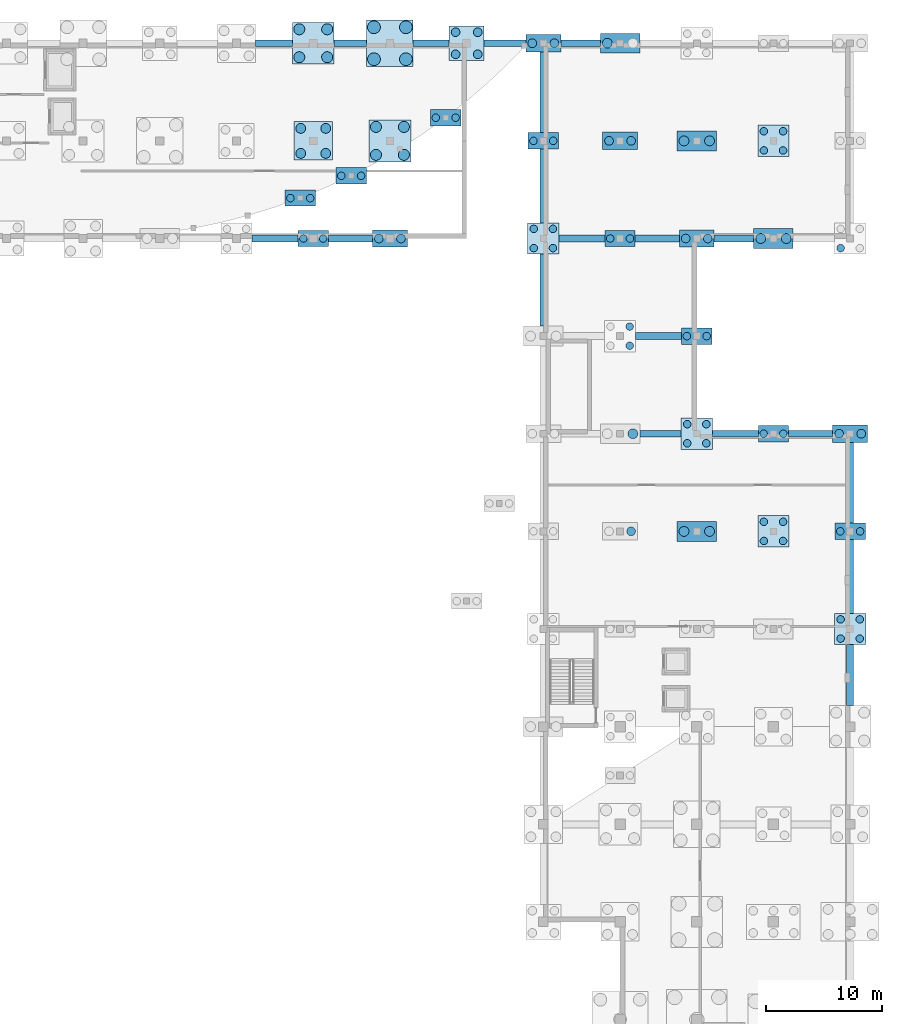
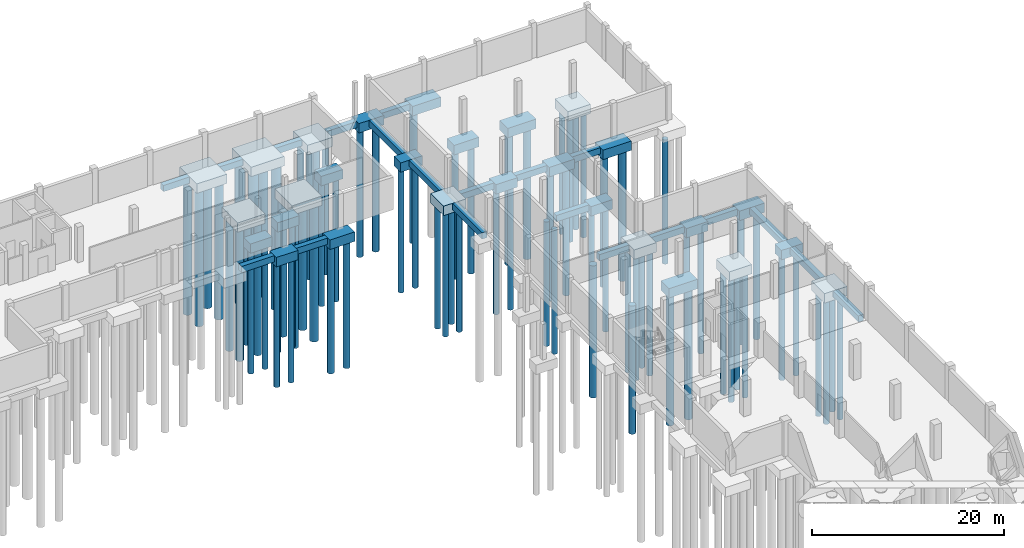
# One storey, part 8 of 25: 80 piles, 48 footings.
"""IFC4 building model written with IfcOpenShell, lengths in metres."""

import ifcopenshell
import ifcopenshell.guid

model = None  # the IFC model being written
_history = None  # IfcOwnerHistory: only IFC2X3 demands one
_inside = {}  # id of a spatial element -> (the spatial element, [elements in it])
_under = {}  # id of a project, library or spatial element -> (it, [spatial elements below it])
_declared = {}  # id of a project -> (the project, [libraries it declares])
_typed = {}  # id of a type object -> (the type object, [elements of that type])
_made_of = {}  # id of a material, layer set ... -> (it, [elements and type objects made of it])


def new_model(schema):
    """Start an empty IFC model of exactly this schema.

    Asked for "IFC4X3", IfcOpenShell would pick the latest addendum, in which some entities
    have other attributes; the version numbers below select the first issue.
    IFC2X3 requires an IfcOwnerHistory on every rooted entity: one is made here for all.
    """
    global model, _history
    if schema == "IFC4X3":
        model = ifcopenshell.file(schema_version=(4, 3, 0, 0))
    else:
        model = ifcopenshell.file(schema=schema)
    _inside.clear()
    _under.clear()
    _declared.clear()
    _typed.clear()
    _made_of.clear()
    _history = None
    if model.schema == "IFC2X3":
        org = make("IfcOrganization", Name="unknown")
        user = make(
            "IfcPersonAndOrganization",
            ThePerson=make("IfcPerson", FamilyName="unknown"),
            TheOrganization=org,
        )
        app = make(
            "IfcApplication",
            ApplicationDeveloper=org,
            Version="unknown",
            ApplicationFullName="unknown",
            ApplicationIdentifier="unknown",
        )
        _history = make(
            "IfcOwnerHistory",
            OwningUser=user,
            OwningApplication=app,
            ChangeAction="ADDED",
            CreationDate=0,
        )
    return model


def make(cls, **values):
    """One entity of the class cls with the attributes given. An attribute that is None is left unset."""
    return model.create_entity(
        cls, **{name: value for name, value in values.items() if value is not None}
    )


def rooted(cls, **values):
    """An entity with a GlobalId (a new one), such as an element, a storey or a relation."""
    return make(cls, GlobalId=ifcopenshell.guid.new(), OwnerHistory=_history, **values)


def si_unit(unit_type, name, prefix=None):
    """IfcSIUnit, for example si_unit("LENGTHUNIT", "METRE", prefix="MILLI")."""
    return make("IfcSIUnit", UnitType=unit_type, Prefix=prefix, Name=name)


def assignment(units):
    """IfcUnitAssignment: the units of a project."""
    return None if units is None else make("IfcUnitAssignment", Units=units)


def point(xyz):
    """IfcCartesianPoint."""
    return None if xyz is None else make("IfcCartesianPoint", Coordinates=xyz)


def direction(xyz):
    """IfcDirection."""
    return None if xyz is None else make("IfcDirection", DirectionRatios=xyz)


def frame(location, z_axis=None, x_axis=None):
    """IfcAxis2Placement3D, a coordinate frame: its origin and axes. An axis left out is left unset."""
    return make(
        "IfcAxis2Placement3D",
        Location=point(location),
        Axis=direction(z_axis),
        RefDirection=direction(x_axis),
    )


def frame_2d(location, x_axis=None):
    """IfcAxis2Placement2D, a coordinate frame in the plane: its origin and x axis."""
    return make(
        "IfcAxis2Placement2D", Location=point(location), RefDirection=direction(x_axis)
    )


def origin():
    """The frame at (0, 0, 0) with its axes left unset."""
    return frame((0.0, 0.0, 0.0))


def origin_2d():
    """The frame at (0, 0) in the plane with its x axis left unset."""
    return frame_2d((0.0, 0.0))


def place(relative_to, where):
    """IfcLocalPlacement: puts the frame where relative to a parent placement (None: the world)."""
    return make(
        "IfcLocalPlacement", PlacementRelTo=relative_to, RelativePlacement=where
    )


def context(
    kind, dimensions, precision=None, world=None, true_north=None, identifier=None
):
    """IfcGeometricRepresentationContext, for example the 3D "Model" context."""
    return make(
        "IfcGeometricRepresentationContext",
        ContextIdentifier=identifier,
        ContextType=kind,
        CoordinateSpaceDimension=dimensions,
        Precision=precision,
        WorldCoordinateSystem=world,
        TrueNorth=true_north,
    )


def subcontext(parent, identifier, kind, view, scale=None):
    """IfcGeometricRepresentationSubContext, for example "Body" below "Model"."""
    return make(
        "IfcGeometricRepresentationSubContext",
        ContextIdentifier=identifier,
        ContextType=kind,
        ParentContext=parent,
        TargetScale=scale,
        TargetView=view,
    )


def project(units=None, contexts=None):
    """IfcProject with its units and contexts."""
    return rooted(
        "IfcProject",
        Name="project",
        RepresentationContexts=contexts,
        UnitsInContext=assignment(units),
    )


def spatial(cls, under=None, at=None, **own):
    """A site, building, storey or space (cls), placed at a placement, below another one or the project."""
    s = rooted(cls, ObjectPlacement=at, **own)
    if under is not None:
        _under.setdefault(under.id(), (under, []))[1].append(s)
    return s


def profile(cls, at=None, kind="AREA", **sizes):
    """A parametric profile (cls). Its sizes go by their IFC names, for example OverallWidth=200.0."""
    return make(cls, ProfileType=kind, Position=at, **sizes)


def rectangle(**sizes):
    """IfcRectangleProfileDef."""
    return profile("IfcRectangleProfileDef", **sizes)


def circle(**sizes):
    """IfcCircleProfileDef."""
    return profile("IfcCircleProfileDef", **sizes)


def extrude(swept, where, along, depth):
    """IfcExtrudedAreaSolid: the profile swept, set in the frame where, extruded along a direction by depth."""
    return make(
        "IfcExtrudedAreaSolid",
        SweptArea=swept,
        Position=where,
        ExtrudedDirection=direction(along),
        Depth=depth,
    )


def shape(context_of_items, identifier, shape_type, items):
    """IfcShapeRepresentation: the items that make up one representation, for example the "Body"."""
    return make(
        "IfcShapeRepresentation",
        ContextOfItems=context_of_items,
        RepresentationIdentifier=identifier,
        RepresentationType=shape_type,
        Items=items,
    )


def material(Name=None, Category=None):
    """IfcMaterial."""
    return make("IfcMaterial", Name=Name, Category=Category)


def layer(
    of_material, thickness, ventilated=None, Name=None, Category=None, Priority=None
):
    """IfcMaterialLayer: one layer of a wall or slab, of a material (None: an air gap)."""
    return make(
        "IfcMaterialLayer",
        Material=of_material,
        LayerThickness=thickness,
        IsVentilated=ventilated,
        Name=Name,
        Category=Category,
        Priority=Priority,
    )


def layer_set(layers, Name=None):
    """IfcMaterialLayerSet."""
    return make("IfcMaterialLayerSet", MaterialLayers=layers, LayerSetName=Name)


def material_profile(
    of_material, cross_section, Name=None, Category=None, Priority=None
):
    """IfcMaterialProfile: a cross section and its material."""
    return make(
        "IfcMaterialProfile",
        Name=Name,
        Material=of_material,
        Profile=cross_section,
        Priority=Priority,
        Category=Category,
    )


def profile_set(profiles, Name=None, composite=None):
    """IfcMaterialProfileSet."""
    return make(
        "IfcMaterialProfileSet",
        Name=Name,
        MaterialProfiles=profiles,
        CompositeProfile=composite,
    )


def made_of(thing, what):
    """Note that an element or type object is made of a material, layer set ...; save() writes the relation."""
    if what is not None:
        _made_of.setdefault(what.id(), (what, []))[1].append(thing)
    return thing


def type_object(cls, material=None, **own):
    """A type object (cls), such as IfcWallType, which elements share."""
    return made_of(rooted(cls, **own), material)


def element(
    cls,
    number,
    at=None,
    inside=None,
    cuts=None,
    type_object=None,
    material=None,
    context=None,
    identifier="Body",
    shape_type=None,
    held_by="IfcProductDefinitionShape",
    body=None,
    shapes=None,
    **own,
):
    """One element of the class cls, such as IfcWall. Its Tag is "e" and its number.

    at: its placement. inside: the storey or other place that contains it. cuts: it is an
    opening in that element (IfcRelVoidsElement). A single representation is given by context,
    identifier, shape_type and body (its items); several are given by shapes. held_by: the class
    of the entity that holds the representations. save() writes the other relations.
    """
    e = rooted(cls, Tag="e%d" % number, ObjectPlacement=at, **own)
    if body is not None:
        shapes = [shape(context, identifier, shape_type, body)]
    if shapes is not None:
        e.Representation = make(held_by, Representations=shapes)
    if inside is not None:
        _inside.setdefault(inside.id(), (inside, []))[1].append(e)
    if cuts is not None:
        rooted(
            "IfcRelVoidsElement", RelatingBuildingElement=cuts, RelatedOpeningElement=e
        )
    if type_object is not None:
        _typed.setdefault(type_object.id(), (type_object, []))[1].append(e)
    return made_of(e, material)


def aggregate(whole, parts):
    """IfcRelAggregates: a whole, such as a stair, and the parts it consists of."""
    return rooted("IfcRelAggregates", RelatingObject=whole, RelatedObjects=parts)


def save(model, path):
    """Write the relations noted so far, then the file.

    IfcRelAggregates (storeys below a building ...), IfcRelContainedInSpatialStructure (elements
    in a storey), IfcRelDefinesByType, IfcRelAssociatesMaterial and IfcRelDeclares: one each for
    every whole, place, type object, material and project.
    """
    for whole, parts in _under.values():
        aggregate(whole, parts)
    for where, things in _inside.values():
        rooted(
            "IfcRelContainedInSpatialStructure",
            RelatedElements=things,
            RelatingStructure=where,
        )
    for kind, things in _typed.values():
        rooted("IfcRelDefinesByType", RelatedObjects=things, RelatingType=kind)
    for what, things in _made_of.values():
        rooted("IfcRelAssociatesMaterial", RelatedObjects=things, RelatingMaterial=what)
    for by, libraries in _declared.values():
        rooted("IfcRelDeclares", RelatingContext=by, RelatedDefinitions=libraries)
    model.write(path)


model = new_model("IFC4")

# Units and contexts
model_context = context("Model", 3, precision=1e-05, world=origin(), true_north=direction((0.0, 1.0)))
body_context = subcontext(model_context, "Body", "Model", "MODEL_VIEW")
ifc_project = project(units=[si_unit("LENGTHUNIT", "METRE"), si_unit("AREAUNIT", "SQUARE_METRE"), si_unit("VOLUMEUNIT", "CUBIC_METRE"), si_unit("PLANEANGLEUNIT", "RADIAN"), si_unit("MASSUNIT", "GRAM", prefix="KILO")], contexts=[model_context])

# Site, building, storey
site_placement = place(None, origin())
site = spatial("IfcSite", under=ifc_project, at=site_placement, CompositionType="ELEMENT")
building_placement = place(site_placement, origin())
building = spatial("IfcBuilding", under=site, at=building_placement, Name="Qaldarim Faculty of Natural and Applied Sciences", CompositionType="ELEMENT")
storey_placement = place(building_placement, frame((0.0, 0.0, -4.5)))
storey = spatial("IfcBuildingStorey", under=building, at=storey_placement, Name="B01", CompositionType="ELEMENT", Elevation=-4.5)

# Piles
ifc_material = material(Name="Concrete C40/50", Category="concrete")
ifc_material_profile_1 = material_profile(ifc_material, circle(Radius=0.550048828125, at=origin_2d()), Name="PILE-D1100")
ifc_profile_set_1 = profile_set([ifc_material_profile_1], Name="Concrete C40/50")
pile_type_1 = type_object("IfcPileType", Name="BoredPile-D1100-L18300", PredefinedType="BORED", material=ifc_profile_set_1)
for number, where, z_axis, x_axis, name in (
    (1, (137.22509765625, 116.22509765625, -1.699951171875), (0.0, 0.0, -1.0), (1.0, 0.0, 0.0), "Bored pile PL05 1 under FTG-PC08-X22Y15"),
    (2, (137.22509765625, 118.97509765625, -1.699951171875), (0.0, 0.0, -1.0), (1.0, 0.0, 0.0), "Bored pile PL05 2 under FTG-PC08-X22Y15"),
    (3, (139.97509765625, 116.22509765625, -1.699951171875), (0.0, 0.0, -1.0), (1.0, 0.0, 0.0), "Bored pile PL05 3 under FTG-PC08-X22Y15"),
    (4, (139.97509765625, 118.97509765625, -1.699951171875), (0.0, 0.0, -1.0), (1.0, 0.0, 0.0), "Bored pile PL05 4 under FTG-PC08-X22Y15"),
):
    element("IfcPile", number, at=place(storey_placement, frame(where, z_axis=z_axis, x_axis=x_axis)), inside=storey, type_object=pile_type_1, Name=name, PredefinedType="BORED", context=body_context, shape_type="SweptSolid", body=[
        extrude(circle(Radius=0.550048828125, at=origin_2d()), origin(), (0.0, 0.0, 1.0), 18.300048828125),
    ])
ifc_material_profile_2 = material_profile(ifc_material, circle(Radius=0.324951171875, at=origin_2d()), Name="PILE-D650")
ifc_profile_set_2 = profile_set([ifc_material_profile_2], Name="Concrete C40/50")
pile_type_2 = type_object("IfcPileType", Name="BoredPile-D650-L15800", PredefinedType="BORED", material=ifc_profile_set_2)
for number, where, z_axis, x_axis, name in (
    (5, (131.14990234375, 100.800048828125, -1.699951171875), (0.0, 0.0, -1.0), (1.0, 0.0, 0.0), "Bored pile PL01 1 under FTG-PC01-X21Y13"),
    (6, (132.85009765625, 100.800048828125, -1.699951171875), (0.0, 0.0, -1.0), (1.0, 0.0, 0.0), "Bored pile PL01 2 under FTG-PC01-X21Y13"),
    (7, (150.97509765625, 99.97509765625, -1.699951171875), (0.0, 0.0, -1.0), (1.0, 0.0, 0.0), "Bored pile PL01 1 under FTG-PC04-X24Y13"),
    (8, (150.97509765625, 101.625, -1.699951171875), (0.0, 0.0, -1.0), (1.0, 0.0, 0.0), "Bored pile PL01 2 under FTG-PC04-X24Y13"),
    (9, (152.625, 99.97509765625, -1.699951171875), (0.0, 0.0, -1.0), (1.0, 0.0, 0.0), "Bored pile PL01 3 under FTG-PC04-X24Y13"),
    (10, (152.625, 101.625, -1.699951171875), (0.0, 0.0, -1.0), (1.0, 0.0, 0.0), "Bored pile PL01 4 under FTG-PC04-X24Y13"),
    (11, (150.949951171875, 109.199951171875, -1.699951171875), (0.0, 0.0, -1.0), (1.0, 0.0, 0.0), "Bored pile PL01 1 under FTG-PC01-X24Y14"),
    (12, (152.64990234375, 109.199951171875, -1.699951171875), (0.0, 0.0, -1.0), (1.0, 0.0, 0.0), "Bored pile PL01 2 under FTG-PC01-X24Y14"),
    (13, (159.22509765625, 91.574951171875, -1.699951171875), (0.0, 0.0, -1.0), (1.0, 0.0, 0.0), "Bored pile PL01 3 under FTG-PC04-X25Y12"),
    (14, (159.22509765625, 93.22509765625, -1.699951171875), (0.0, 0.0, -1.0), (1.0, 0.0, 0.0), "Bored pile PL01 4 under FTG-PC04-X25Y12"),
    (15, (157.550048828125, 100.800048828125, -1.699951171875), (0.0, 0.0, -1.0), (1.0, 0.0, 0.0), "Bored pile PL01 1 under FTG-PC01-X25Y13"),
    (16, (159.25, 100.800048828125, -1.699951171875), (0.0, 0.0, -1.0), (1.0, 0.0, 0.0), "Bored pile PL01 2 under FTG-PC01-X25Y13"),
    (17, (164.175048828125, 83.175048828125, -1.699951171875), (0.0, 0.0, -1.0), (1.0, 0.0, 0.0), "Bored pile PL01 1 under FTG-PC04-X26Y11"),
    (18, (164.175048828125, 84.824951171875, -1.699951171875), (0.0, 0.0, -1.0), (1.0, 0.0, 0.0), "Bored pile PL01 2 under FTG-PC04-X26Y11"),
    (19, (165.824951171875, 83.175048828125, -1.699951171875), (0.0, 0.0, -1.0), (1.0, 0.0, 0.0), "Bored pile PL01 3 under FTG-PC04-X26Y11"),
    (20, (165.824951171875, 84.824951171875, -1.699951171875), (0.0, 0.0, -1.0), (1.0, 0.0, 0.0), "Bored pile PL01 4 under FTG-PC04-X26Y11"),
    (21, (164.14990234375, 92.39990234375, -1.699951171875), (0.0, 0.0, -1.0), (1.0, 0.0, 0.0), "Bored pile PL01 1 under FTG-PC01-X26Y12"),
    (22, (165.85009765625, 92.39990234375, -1.699951171875), (0.0, 0.0, -1.0), (1.0, 0.0, 0.0), "Bored pile PL01 2 under FTG-PC01-X26Y12"),
    (23, (170.77490234375, 74.77490234375, -1.699951171875), (0.0, 0.0, -1.0), (1.0, 0.0, 0.0), "Bored pile PL01 1 under FTG-PC04-X27Y10"),
    (24, (170.77490234375, 76.425048828125, -1.699951171875), (0.0, 0.0, -1.0), (1.0, 0.0, 0.0), "Bored pile PL01 2 under FTG-PC04-X27Y10"),
    (25, (172.425048828125, 74.77490234375, -1.699951171875), (0.0, 0.0, -1.0), (1.0, 0.0, 0.0), "Bored pile PL01 3 under FTG-PC04-X27Y10"),
    (26, (172.425048828125, 76.425048828125, -1.699951171875), (0.0, 0.0, -1.0), (1.0, 0.0, 0.0), "Bored pile PL01 4 under FTG-PC04-X27Y10"),
    (27, (170.75, 84.0, -1.699951171875), (0.0, 0.0, -1.0), (1.0, 0.0, 0.0), "Bored pile PL01 1 under FTG-PC01-X27Y11"),
    (28, (172.449951171875, 84.0, -1.699951171875), (0.0, 0.0, -1.0), (1.0, 0.0, 0.0), "Bored pile PL01 2 under FTG-PC01-X27Y11"),
    (29, (170.77490234375, 108.375, -1.699951171875), (0.0, 0.0, -1.0), (1.0, 0.0, 0.0), "Bored pile PL01 1 under FTG-PC04-X27Y14"),
    (30, (170.77490234375, 110.02490234375, -1.699951171875), (0.0, 0.0, -1.0), (1.0, 0.0, 0.0), "Bored pile PL01 2 under FTG-PC04-X27Y14"),
    (31, (172.425048828125, 108.375, -1.699951171875), (0.0, 0.0, -1.0), (1.0, 0.0, 0.0), "Bored pile PL01 3 under FTG-PC04-X27Y14"),
    (32, (172.425048828125, 110.02490234375, -1.699951171875), (0.0, 0.0, -1.0), (1.0, 0.0, 0.0), "Bored pile PL01 4 under FTG-PC04-X27Y14"),
    (33, (177.375, 66.375, -1.699951171875), (0.0, 0.0, -1.0), (1.0, 0.0, 0.0), "Bored pile PL01 1 under FTG-PC04-X28Y09"),
    (34, (177.375, 68.02490234375, -1.699951171875), (0.0, 0.0, -1.0), (1.0, 0.0, 0.0), "Bored pile PL01 2 under FTG-PC04-X28Y09"),
    (35, (179.02490234375, 66.375, -1.699951171875), (0.0, 0.0, -1.0), (1.0, 0.0, 0.0), "Bored pile PL01 3 under FTG-PC04-X28Y09"),
    (36, (179.02490234375, 68.02490234375, -1.699951171875), (0.0, 0.0, -1.0), (1.0, 0.0, 0.0), "Bored pile PL01 4 under FTG-PC04-X28Y09"),
    (37, (177.35009765625, 75.60009765625, -1.699951171875), (0.0, 0.0, -1.0), (1.0, 0.0, 0.0), "Bored pile PL01 1 under FTG-PC01-X28Y10"),
    (38, (179.050048828125, 75.60009765625, -1.699951171875), (0.0, 0.0, -1.0), (1.0, 0.0, 0.0), "Bored pile PL01 2 under FTG-PC01-X28Y10"),
    (39, (177.375, 99.97509765625, -1.699951171875), (0.0, 0.0, -1.0), (1.0, 0.0, 0.0), "Bored pile PL01 1 under FTG-PC04-X28Y13"),
    (40, (130.0400390625, 104.27490234375, -1.699951171875), (0.0, 0.0, -1.0), (1.0, 0.0, 0.0), "Bored pile PL01 1 under FTG-PORT-08"),
    (41, (131.739990234375, 104.27490234375, -1.699951171875), (0.0, 0.0, -1.0), (1.0, 0.0, 0.0), "Bored pile PL01 2 under FTG-PORT-08"),
    (42, (134.4150390625, 106.195068359375, -1.699951171875), (0.0, 0.0, -1.0), (1.0, 0.0, 0.0), "Bored pile PL01 1 under FTG-PORT-10"),
    (43, (136.114990234375, 106.195068359375, -1.699951171875), (0.0, 0.0, -1.0), (1.0, 0.0, 0.0), "Bored pile PL01 2 under FTG-PORT-10"),
    (44, (142.544921875, 111.195068359375, -1.699951171875), (0.0, 0.0, -1.0), (1.0, 0.0, 0.0), "Bored pile PL01 1 under FTG-PORT-14"),
    (45, (144.2451171875, 111.195068359375, -1.699951171875), (0.0, 0.0, -1.0), (1.0, 0.0, 0.0), "Bored pile PL01 2 under FTG-PORT-14"),
):
    element("IfcPile", number, at=place(storey_placement, frame(where, z_axis=z_axis, x_axis=x_axis)), inside=storey, type_object=pile_type_2, Name=name, PredefinedType="BORED", context=body_context, shape_type="SweptSolid", body=[
        extrude(circle(Radius=0.324951171875, at=origin_2d()), origin(), (0.0, 0.0, 1.0), 15.800048828125),
    ])
ifc_material_profile_3 = material_profile(ifc_material, circle(Radius=0.375, at=origin_2d()), Name="PILE-D750")
ifc_profile_set_3 = profile_set([ifc_material_profile_3], Name="Concrete C40/50")
pile_type_3 = type_object("IfcPileType", Name="BoredPile-D750-L16300", PredefinedType="BORED", material=ifc_profile_set_3)
for number, where, z_axis, x_axis, name in (
    (46, (137.64990234375, 100.800048828125, -1.699951171875), (0.0, 0.0, -1.0), (1.0, 0.0, 0.0), "Bored pile PL02 1 under FTG-PC02-X22Y13"),
    (47, (139.550048828125, 100.800048828125, -1.699951171875), (0.0, 0.0, -1.0), (1.0, 0.0, 0.0), "Bored pile PL02 2 under FTG-PC02-X22Y13"),
    (48, (144.25, 116.64990234375, -1.699951171875), (0.0, 0.0, -1.0), (1.0, 0.0, 0.0), "Bored pile PL02 1 under FTG-PC05-X23Y15"),
    (49, (144.25, 118.550048828125, -1.699951171875), (0.0, 0.0, -1.0), (1.0, 0.0, 0.0), "Bored pile PL02 2 under FTG-PC05-X23Y15"),
    (50, (146.14990234375, 116.64990234375, -1.699951171875), (0.0, 0.0, -1.0), (1.0, 0.0, 0.0), "Bored pile PL02 3 under FTG-PC05-X23Y15"),
    (51, (146.14990234375, 118.550048828125, -1.699951171875), (0.0, 0.0, -1.0), (1.0, 0.0, 0.0), "Bored pile PL02 4 under FTG-PC05-X23Y15"),
    (52, (150.85009765625, 117.60009765625, -1.699951171875), (0.0, 0.0, -1.0), (1.0, 0.0, 0.0), "Bored pile PL02 1 under FTG-PC02-X24Y15"),
    (53, (152.75, 117.60009765625, -1.699951171875), (0.0, 0.0, -1.0), (1.0, 0.0, 0.0), "Bored pile PL02 2 under FTG-PC02-X24Y15"),
    (54, (159.35009765625, 75.60009765625, -1.699951171875), (0.0, 0.0, -1.0), (1.0, 0.0, 0.0), "Bored pile PL02 2 under FTG-PC02-X25Y10"),
    (55, (157.449951171875, 109.199951171875, -1.699951171875), (0.0, 0.0, -1.0), (1.0, 0.0, 0.0), "Bored pile PL02 1 under FTG-PC02-X25Y14"),
    (56, (159.35009765625, 109.199951171875, -1.699951171875), (0.0, 0.0, -1.0), (1.0, 0.0, 0.0), "Bored pile PL02 2 under FTG-PC02-X25Y14"),
    (57, (164.050048828125, 100.800048828125, -1.699951171875), (0.0, 0.0, -1.0), (1.0, 0.0, 0.0), "Bored pile PL02 1 under FTG-PC02-X26Y13"),
    (58, (165.949951171875, 100.800048828125, -1.699951171875), (0.0, 0.0, -1.0), (1.0, 0.0, 0.0), "Bored pile PL02 2 under FTG-PC02-X26Y13"),
    (59, (177.25, 84.0, -1.699951171875), (0.0, 0.0, -1.0), (1.0, 0.0, 0.0), "Bored pile PL02 1 under FTG-PC02-X28Y11"),
    (60, (179.14990234375, 84.0, -1.699951171875), (0.0, 0.0, -1.0), (1.0, 0.0, 0.0), "Bored pile PL02 2 under FTG-PC02-X28Y11"),
):
    element("IfcPile", number, at=place(storey_placement, frame(where, z_axis=z_axis, x_axis=x_axis)), inside=storey, type_object=pile_type_3, Name=name, PredefinedType="BORED", context=body_context, shape_type="SweptSolid", body=[
        extrude(circle(Radius=0.375, at=origin_2d()), origin(), (0.0, 0.0, 1.0), 16.300048828125),
    ])
ifc_material_profile_4 = material_profile(ifc_material, circle(Radius=0.425048828125, at=origin_2d()), Name="PILE-D850")
ifc_profile_set_4 = profile_set([ifc_material_profile_4], Name="Concrete C40/50")
pile_type_4 = type_object("IfcPileType", Name="BoredPile-D850-L16800", PredefinedType="BORED", material=ifc_profile_set_4)
for number, where, z_axis, x_axis, name in (
    (61, (130.925048828125, 108.125, -1.699951171875), (0.0, 0.0, -1.0), (1.0, 0.0, 0.0), "Bored pile PL03 1 under FTG-PC06-X21Y14"),
    (62, (130.925048828125, 110.27490234375, -1.699951171875), (0.0, 0.0, -1.0), (1.0, 0.0, 0.0), "Bored pile PL03 2 under FTG-PC06-X21Y14"),
    (63, (133.074951171875, 108.125, -1.699951171875), (0.0, 0.0, -1.0), (1.0, 0.0, 0.0), "Bored pile PL03 3 under FTG-PC06-X21Y14"),
    (64, (133.074951171875, 110.27490234375, -1.699951171875), (0.0, 0.0, -1.0), (1.0, 0.0, 0.0), "Bored pile PL03 4 under FTG-PC06-X21Y14"),
    (65, (159.5, 84.0, -1.699951171875), (0.0, 0.0, -1.0), (1.0, 0.0, 0.0), "Bored pile PL03 2 under FTG-PC03-X25Y11"),
    (66, (157.300048828125, 117.60009765625, -1.699951171875), (0.0, 0.0, -1.0), (1.0, 0.0, 0.0), "Bored pile PL03 1 under FTG-PC03-X25Y15"),
    (67, (163.89990234375, 75.60009765625, -1.699951171875), (0.0, 0.0, -1.0), (1.0, 0.0, 0.0), "Bored pile PL03 1 under FTG-PC03-X26Y10"),
    (68, (166.10009765625, 75.60009765625, -1.699951171875), (0.0, 0.0, -1.0), (1.0, 0.0, 0.0), "Bored pile PL03 2 under FTG-PC03-X26Y10"),
    (69, (163.89990234375, 109.199951171875, -1.699951171875), (0.0, 0.0, -1.0), (1.0, 0.0, 0.0), "Bored pile PL03 1 under FTG-PC03-X26Y14"),
    (70, (166.10009765625, 109.199951171875, -1.699951171875), (0.0, 0.0, -1.0), (1.0, 0.0, 0.0), "Bored pile PL03 2 under FTG-PC03-X26Y14"),
    (71, (170.5, 100.800048828125, -1.699951171875), (0.0, 0.0, -1.0), (1.0, 0.0, 0.0), "Bored pile PL03 1 under FTG-PC03-X27Y13"),
    (72, (172.699951171875, 100.800048828125, -1.699951171875), (0.0, 0.0, -1.0), (1.0, 0.0, 0.0), "Bored pile PL03 2 under FTG-PC03-X27Y13"),
):
    element("IfcPile", number, at=place(storey_placement, frame(where, z_axis=z_axis, x_axis=x_axis)), inside=storey, type_object=pile_type_4, Name=name, PredefinedType="BORED", context=body_context, shape_type="SweptSolid", body=[
        extrude(circle(Radius=0.425048828125, at=origin_2d()), origin(), (0.0, 0.0, 1.0), 16.800048828125),
    ])
ifc_material_profile_5 = material_profile(ifc_material, circle(Radius=0.47509765625, at=origin_2d()), Name="PILE-D950")
ifc_profile_set_5 = profile_set([ifc_material_profile_5], Name="Concrete C40/50")
pile_type_5 = type_object("IfcPileType", Name="BoredPile-D950-L17300", PredefinedType="BORED", material=ifc_profile_set_5)
for number, where, z_axis, x_axis, name in (
    (73, (130.800048828125, 116.39990234375, -1.699951171875), (0.0, 0.0, -1.0), (1.0, 0.0, 0.0), "Bored pile PL04 1 under FTG-PC07-X21Y15"),
    (74, (130.800048828125, 118.800048828125, -1.699951171875), (0.0, 0.0, -1.0), (1.0, 0.0, 0.0), "Bored pile PL04 2 under FTG-PC07-X21Y15"),
    (75, (133.199951171875, 116.39990234375, -1.699951171875), (0.0, 0.0, -1.0), (1.0, 0.0, 0.0), "Bored pile PL04 3 under FTG-PC07-X21Y15"),
    (76, (133.199951171875, 118.800048828125, -1.699951171875), (0.0, 0.0, -1.0), (1.0, 0.0, 0.0), "Bored pile PL04 4 under FTG-PC07-X21Y15"),
    (77, (137.39990234375, 108.0, -1.699951171875), (0.0, 0.0, -1.0), (1.0, 0.0, 0.0), "Bored pile PL04 1 under FTG-PC07-X22Y14"),
    (78, (137.39990234375, 110.39990234375, -1.699951171875), (0.0, 0.0, -1.0), (1.0, 0.0, 0.0), "Bored pile PL04 2 under FTG-PC07-X22Y14"),
    (79, (139.800048828125, 108.0, -1.699951171875), (0.0, 0.0, -1.0), (1.0, 0.0, 0.0), "Bored pile PL04 3 under FTG-PC07-X22Y14"),
    (80, (139.800048828125, 110.39990234375, -1.699951171875), (0.0, 0.0, -1.0), (1.0, 0.0, 0.0), "Bored pile PL04 4 under FTG-PC07-X22Y14"),
):
    element("IfcPile", number, at=place(storey_placement, frame(where, z_axis=z_axis, x_axis=x_axis)), inside=storey, type_object=pile_type_5, Name=name, PredefinedType="BORED", context=body_context, shape_type="SweptSolid", body=[
        extrude(circle(Radius=0.47509765625, at=origin_2d()), origin(), (0.0, 0.0, 1.0), 17.300048828125),
    ])

# Footings
ifc_layer_1 = layer(ifc_material, 1.199951171875)
ifc_layer_set_1 = layer_set([ifc_layer_1], Name="Concrete C40/50")
footing_type_1 = type_object("IfcFootingType", Name="FoundationCap-2600x1400x1200-2P650", PredefinedType="PILE_CAP", material=ifc_layer_set_1)
for number, where, z_axis, x_axis, name in (
    (81, (132.0, 100.800048828125, -1.7998046875), (0.0, 0.0, 1.0), (1.0, 0.0, 0.0), "Pile cap PC01 at X21/Y13"),
    (82, (151.800048828125, 109.199951171875, -1.7998046875), (0.0, 0.0, 1.0), (1.0, 0.0, 0.0), "Pile cap PC01 at X24/Y14"),
    (83, (158.39990234375, 100.800048828125, -1.7998046875), (0.0, 0.0, 1.0), (1.0, 0.0, 0.0), "Pile cap PC01 at X25/Y13"),
    (84, (165.0, 92.39990234375, -1.7998046875), (0.0, 0.0, 1.0), (1.0, 0.0, 0.0), "Pile cap PC01 at X26/Y12"),
    (85, (171.60009765625, 84.0, -1.7998046875), (0.0, 0.0, 1.0), (1.0, 0.0, 0.0), "Pile cap PC01 at X27/Y11"),
    (86, (178.199951171875, 75.60009765625, -1.7998046875), (0.0, 0.0, 1.0), (1.0, 0.0, 0.0), "Pile cap PC01 at X28/Y10"),
    (87, (130.889892578125, 104.27490234375, -1.7998046875), (0.0, 0.0, 1.0), (1.0, 0.0, 0.0), "Arched portal foundation cap 08"),
    (88, (135.264892578125, 106.195068359375, -1.7998046875), (0.0, 0.0, 1.0), (1.0, 0.0, 0.0), "Arched portal foundation cap 10"),
    (89, (143.39501953125, 111.195068359375, -1.7998046875), (0.0, 0.0, 1.0), (1.0, 0.0, 0.0), "Arched portal foundation cap 14"),
):
    element("IfcFooting", number, at=place(storey_placement, frame(where, z_axis=z_axis, x_axis=x_axis)), inside=storey, type_object=footing_type_1, Name=name, PredefinedType="PILE_CAP", context=body_context, shape_type="SweptSolid", body=[
        extrude(rectangle(XDim=2.60009765625, YDim=1.39990234375, at=origin_2d()), origin(), (0.0, 0.0, 1.0), 1.199951171875),
    ])
ifc_layer_2 = layer(ifc_material, 1.199951171875)
ifc_layer_set_2 = layer_set([ifc_layer_2], Name="Concrete C40/50")
footing_type_2 = type_object("IfcFootingType", Name="FoundationCap-2700x2700x1200-4P650", PredefinedType="PILE_CAP", material=ifc_layer_set_2)
for number, where, z_axis, x_axis, name in (
    (90, (151.800048828125, 100.800048828125, -1.7998046875), (0.0, 0.0, 1.0), (1.0, 0.0, 0.0), "Pile cap PC04 at X24/Y13"),
    (91, (165.0, 84.0, -1.7998046875), (0.0, 0.0, 1.0), (1.0, 0.0, 0.0), "Pile cap PC04 at X26/Y11"),
    (92, (171.60009765625, 75.60009765625, -1.7998046875), (0.0, 0.0, 1.0), (1.0, 0.0, 0.0), "Pile cap PC04 at X27/Y10"),
    (93, (171.60009765625, 109.199951171875, -1.7998046875), (0.0, 0.0, 1.0), (1.0, 0.0, 0.0), "Pile cap PC04 at X27/Y14"),
    (94, (178.199951171875, 67.199951171875, -1.7998046875), (0.0, 0.0, 1.0), (1.0, 0.0, 0.0), "Pile cap PC04 at X28/Y09"),
):
    element("IfcFooting", number, at=place(storey_placement, frame(where, z_axis=z_axis, x_axis=x_axis)), inside=storey, type_object=footing_type_2, Name=name, PredefinedType="PILE_CAP", context=body_context, shape_type="SweptSolid", body=[
        extrude(rectangle(XDim=2.699951171875, YDim=2.699951171875, at=origin_2d()), origin(), (0.0, 0.0, 1.0), 1.199951171875),
    ])
ifc_layer_3 = layer(ifc_material, 1.199951171875)
ifc_layer_set_3 = layer_set([ifc_layer_3], Name="Concrete C40/50")
footing_type_3 = type_object("IfcFootingType", Name="FoundationCap-3000x1500x1200-2P750", PredefinedType="PILE_CAP", material=ifc_layer_set_3)
for number, where, z_axis, x_axis, name in (
    (95, (138.60009765625, 100.800048828125, -1.7998046875), (0.0, 0.0, 1.0), (1.0, 0.0, 0.0), "Pile cap PC02 at X22/Y13"),
    (96, (151.800048828125, 117.60009765625, -1.7998046875), (0.0, 0.0, 1.0), (1.0, 0.0, 0.0), "Pile cap PC02 at X24/Y15"),
    (97, (158.39990234375, 109.199951171875, -1.7998046875), (0.0, 0.0, 1.0), (1.0, 0.0, 0.0), "Pile cap PC02 at X25/Y14"),
    (98, (165.0, 100.800048828125, -1.7998046875), (0.0, 0.0, 1.0), (1.0, 0.0, 0.0), "Pile cap PC02 at X26/Y13"),
    (99, (178.199951171875, 84.0, -1.7998046875), (0.0, 0.0, 1.0), (1.0, 0.0, 0.0), "Pile cap PC02 at X28/Y11"),
):
    element("IfcFooting", number, at=place(storey_placement, frame(where, z_axis=z_axis, x_axis=x_axis)), inside=storey, type_object=footing_type_3, Name=name, PredefinedType="PILE_CAP", context=body_context, shape_type="SweptSolid", body=[
        extrude(rectangle(XDim=3.0, YDim=1.5, at=origin_2d()), origin(), (0.0, 0.0, 1.0), 1.199951171875),
    ])
ifc_layer_4 = layer(ifc_material, 1.199951171875)
ifc_layer_set_4 = layer_set([ifc_layer_4], Name="Concrete C40/50")
footing_type_4 = type_object("IfcFootingType", Name="FoundationCap-3000x3000x1200-4P750", PredefinedType="PILE_CAP", material=ifc_layer_set_4)
footing_1_placement = place(storey_placement, frame((145.199951171875, 117.60009765625, -1.7998046875), z_axis=(0.0, 0.0, 1.0), x_axis=(1.0, 0.0, 0.0)))
element("IfcFooting", 100, at=footing_1_placement, inside=storey, type_object=footing_type_4, Name="Pile cap PC05 at X23/Y15", PredefinedType="PILE_CAP", context=body_context, shape_type="SweptSolid", body=[
    extrude(rectangle(XDim=3.0, YDim=3.0, at=origin_2d()), origin(), (0.0, 0.0, 1.0), 1.199951171875),
])
ifc_layer_5 = layer(ifc_material, 1.199951171875)
ifc_layer_set_5 = layer_set([ifc_layer_5], Name="Concrete C40/50")
footing_type_5 = type_object("IfcFootingType", Name="FoundationCap-3300x3300x1200-4P850", PredefinedType="PILE_CAP", material=ifc_layer_set_5)
footing_2_placement = place(storey_placement, frame((132.0, 109.199951171875, -1.7998046875), z_axis=(0.0, 0.0, 1.0), x_axis=(1.0, 0.0, 0.0)))
element("IfcFooting", 101, at=footing_2_placement, inside=storey, type_object=footing_type_5, Name="Pile cap PC06 at X21/Y14", PredefinedType="PILE_CAP", context=body_context, shape_type="SweptSolid", body=[
    extrude(rectangle(XDim=3.300048828125, YDim=3.300048828125, at=origin_2d()), origin(), (0.0, 0.0, 1.0), 1.199951171875),
])
ifc_layer_6 = layer(ifc_material, 1.199951171875)
ifc_layer_set_6 = layer_set([ifc_layer_6], Name="Concrete C40/50")
footing_type_6 = type_object("IfcFootingType", Name="FoundationCap-3400x1700x1200-2P850", PredefinedType="PILE_CAP", material=ifc_layer_set_6)
for number, where, z_axis, x_axis, name in (
    (102, (158.39990234375, 117.60009765625, -1.7998046875), (0.0, 0.0, 1.0), (1.0, 0.0, 0.0), "Pile cap PC03 at X25/Y15"),
    (103, (165.0, 75.60009765625, -1.7998046875), (0.0, 0.0, 1.0), (1.0, 0.0, 0.0), "Pile cap PC03 at X26/Y10"),
    (104, (165.0, 109.199951171875, -1.7998046875), (0.0, 0.0, 1.0), (1.0, 0.0, 0.0), "Pile cap PC03 at X26/Y14"),
    (105, (171.60009765625, 100.800048828125, -1.7998046875), (0.0, 0.0, 1.0), (1.0, 0.0, 0.0), "Pile cap PC03 at X27/Y13"),
):
    element("IfcFooting", number, at=place(storey_placement, frame(where, z_axis=z_axis, x_axis=x_axis)), inside=storey, type_object=footing_type_6, Name=name, PredefinedType="PILE_CAP", context=body_context, shape_type="SweptSolid", body=[
        extrude(rectangle(XDim=3.39990234375, YDim=1.699951171875, at=origin_2d()), origin(), (0.0, 0.0, 1.0), 1.199951171875),
    ])
ifc_layer_7 = layer(ifc_material, 1.199951171875)
ifc_layer_set_7 = layer_set([ifc_layer_7], Name="Concrete C40/50")
footing_type_7 = type_object("IfcFootingType", Name="FoundationCap-3600x3600x1200-4P950", PredefinedType="PILE_CAP", material=ifc_layer_set_7)
for number, where, z_axis, x_axis, name in (
    (106, (132.0, 117.60009765625, -1.7998046875), (0.0, 0.0, 1.0), (1.0, 0.0, 0.0), "Pile cap PC07 at X21/Y15"),
    (107, (138.60009765625, 109.199951171875, -1.7998046875), (0.0, 0.0, 1.0), (1.0, 0.0, 0.0), "Pile cap PC07 at X22/Y14"),
):
    element("IfcFooting", number, at=place(storey_placement, frame(where, z_axis=z_axis, x_axis=x_axis)), inside=storey, type_object=footing_type_7, Name=name, PredefinedType="PILE_CAP", context=body_context, shape_type="SweptSolid", body=[
        extrude(rectangle(XDim=3.60009765625, YDim=3.60009765625, at=origin_2d()), origin(), (0.0, 0.0, 1.0), 1.199951171875),
    ])
ifc_layer_8 = layer(ifc_material, 1.199951171875)
ifc_layer_set_8 = layer_set([ifc_layer_8], Name="Concrete C40/50")
footing_type_8 = type_object("IfcFootingType", Name="FoundationCap-4000x4000x1200-4P1100", PredefinedType="PILE_CAP", material=ifc_layer_set_8)
footing_3_placement = place(storey_placement, frame((138.60009765625, 117.60009765625, -1.7998046875), z_axis=(0.0, 0.0, 1.0), x_axis=(1.0, 0.0, 0.0)))
element("IfcFooting", 108, at=footing_3_placement, inside=storey, type_object=footing_type_8, Name="Pile cap PC08 at X22/Y15", PredefinedType="PILE_CAP", context=body_context, shape_type="SweptSolid", body=[
    extrude(rectangle(XDim=4.0, YDim=4.0, at=origin_2d()), origin(), (0.0, 0.0, 1.0), 1.199951171875),
])
ifc_layer_9 = layer(ifc_material, 0.800048828125)
ifc_layer_set_9 = layer_set([ifc_layer_9], Name="Concrete C40/50")
footing_type_9 = type_object("IfcFootingType", Name="FoundationTie-2800x600x800", PredefinedType="STRIP_FOOTING", material=ifc_layer_set_9)
footing_4_placement = place(storey_placement, frame((135.199951171875, 117.60009765625, -1.39990234375), z_axis=(0.0, 0.0, 1.0), x_axis=(1.0, 0.0, 0.0)))
element("IfcFooting", 109, at=footing_4_placement, inside=storey, type_object=footing_type_9, Name="Strip footing SF13 X21Y15", PredefinedType="STRIP_FOOTING", context=body_context, shape_type="SweptSolid", body=[
    extrude(rectangle(XDim=2.800048828125, YDim=0.60009765625, at=origin_2d()), origin(), (0.0, 0.0, 1.0), 0.800048828125),
])
ifc_layer_10 = layer(ifc_material, 0.800048828125)
ifc_layer_set_10 = layer_set([ifc_layer_10], Name="Concrete C40/50")
footing_type_10 = type_object("IfcFootingType", Name="FoundationTie-3100x600x800", PredefinedType="STRIP_FOOTING", material=ifc_layer_set_10)
footing_5_placement = place(storey_placement, frame((142.14990234375, 117.60009765625, -1.39990234375), z_axis=(0.0, 0.0, 1.0), x_axis=(1.0, 0.0, 0.0)))
element("IfcFooting", 110, at=footing_5_placement, inside=storey, type_object=footing_type_10, Name="Strip footing SF12 X22Y15", PredefinedType="STRIP_FOOTING", context=body_context, shape_type="SweptSolid", body=[
    extrude(rectangle(XDim=3.10009765625, YDim=0.60009765625, at=origin_2d()), origin(), (0.0, 0.0, 1.0), 0.800048828125),
])
ifc_layer_11 = layer(ifc_material, 0.800048828125)
ifc_layer_set_11 = layer_set([ifc_layer_11], Name="Concrete C40/50")
footing_type_11 = type_object("IfcFootingType", Name="FoundationTie-3150x600x800", PredefinedType="STRIP_FOOTING", material=ifc_layer_set_11)
footing_6_placement = place(storey_placement, frame((128.625, 117.60009765625, -1.39990234375), z_axis=(0.0, 0.0, 1.0), x_axis=(1.0, 0.0, 0.0)))
element("IfcFooting", 111, at=footing_6_placement, inside=storey, type_object=footing_type_11, Name="Strip footing SF11 X20Y15", PredefinedType="STRIP_FOOTING", context=body_context, shape_type="SweptSolid", body=[
    extrude(rectangle(XDim=3.14990234375, YDim=0.60009765625, at=origin_2d()), origin(), (0.0, 0.0, 1.0), 0.800048828125),
])
ifc_layer_12 = layer(ifc_material, 0.800048828125)
ifc_layer_set_12 = layer_set([ifc_layer_12], Name="Concrete C40/50")
footing_type_12 = type_object("IfcFootingType", Name="FoundationTie-3400x600x800", PredefinedType="STRIP_FOOTING", material=ifc_layer_set_12)
for number, where, z_axis, x_axis, name in (
    (112, (155.0, 117.60009765625, -1.39990234375), (0.0, 0.0, 1.0), (1.0, 0.0, 0.0), "Strip footing SF08 X24Y15"),
    (113, (168.199951171875, 100.800048828125, -1.39990234375), (0.0, 0.0, 1.0), (1.0, 0.0, 0.0), "Strip footing SF08 X26Y13"),
):
    element("IfcFooting", number, at=place(storey_placement, frame(where, z_axis=z_axis, x_axis=x_axis)), inside=storey, type_object=footing_type_12, Name=name, PredefinedType="STRIP_FOOTING", context=body_context, shape_type="SweptSolid", body=[
        extrude(rectangle(XDim=3.39990234375, YDim=0.60009765625, at=origin_2d()), origin(), (0.0, 0.0, 1.0), 0.800048828125),
    ])
ifc_layer_13 = layer(ifc_material, 0.800048828125)
ifc_layer_set_13 = layer_set([ifc_layer_13], Name="Concrete C40/50")
footing_type_13 = type_object("IfcFootingType", Name="FoundationTie-3550x600x800", PredefinedType="STRIP_FOOTING", material=ifc_layer_set_13)
footing_7_placement = place(storey_placement, frame((161.875, 84.0, -1.39990234375), z_axis=(0.0, 0.0, 1.0), x_axis=(1.0, 0.0, 0.0)))
element("IfcFooting", 114, at=footing_7_placement, inside=storey, type_object=footing_type_13, Name="Strip footing SF01 X25Y11", PredefinedType="STRIP_FOOTING", context=body_context, shape_type="SweptSolid", body=[
    extrude(rectangle(XDim=3.550048828125, YDim=0.60009765625, at=origin_2d()), origin(), (0.0, 0.0, 1.0), 0.800048828125),
])
ifc_layer_14 = layer(ifc_material, 0.800048828125)
ifc_layer_set_14 = layer_set([ifc_layer_14], Name="Concrete C40/50")
footing_type_14 = type_object("IfcFootingType", Name="FoundationTie-3600x600x800", PredefinedType="STRIP_FOOTING", material=ifc_layer_set_14)
footing_8_placement = place(storey_placement, frame((148.5, 117.60009765625, -1.39990234375), z_axis=(0.0, 0.0, 1.0), x_axis=(1.0, 0.0, 0.0)))
element("IfcFooting", 115, at=footing_8_placement, inside=storey, type_object=footing_type_14, Name="Strip footing SF16 X23Y15", PredefinedType="STRIP_FOOTING", context=body_context, shape_type="SweptSolid", body=[
    extrude(rectangle(XDim=3.60009765625, YDim=0.60009765625, at=origin_2d()), origin(), (0.0, 0.0, 1.0), 0.800048828125),
])
ifc_layer_15 = layer(ifc_material, 0.800048828125)
ifc_layer_set_15 = layer_set([ifc_layer_15], Name="Concrete C40/50")
footing_type_15 = type_object("IfcFootingType", Name="FoundationTie-3800x600x800", PredefinedType="STRIP_FOOTING", material=ifc_layer_set_15)
for number, where, z_axis, x_axis, name in (
    (116, (135.199951171875, 100.800048828125, -1.39990234375), (0.0, 0.0, 1.0), (1.0, 0.0, 0.0), "Strip footing SF07 X21Y13"),
    (117, (161.60009765625, 100.800048828125, -1.39990234375), (0.0, 0.0, 1.0), (1.0, 0.0, 0.0), "Strip footing SF07 X25Y13"),
    (118, (174.800048828125, 84.0, -1.39990234375), (0.0, 0.0, 1.0), (1.0, 0.0, 0.0), "Strip footing SF07 X27Y11"),
):
    element("IfcFooting", number, at=place(storey_placement, frame(where, z_axis=z_axis, x_axis=x_axis)), inside=storey, type_object=footing_type_15, Name=name, PredefinedType="STRIP_FOOTING", context=body_context, shape_type="SweptSolid", body=[
        extrude(rectangle(XDim=3.800048828125, YDim=0.60009765625, at=origin_2d()), origin(), (0.0, 0.0, 1.0), 0.800048828125),
    ])
ifc_layer_16 = layer(ifc_material, 0.800048828125)
ifc_layer_set_16 = layer_set([ifc_layer_16], Name="Concrete C40/50")
footing_type_16 = type_object("IfcFootingType", Name="FoundationTie-3950x600x800", PredefinedType="STRIP_FOOTING", material=ifc_layer_set_16)
for number, where, z_axis, x_axis, name in (
    (119, (128.72509765625, 100.800048828125, -1.39990234375), (0.0, 0.0, 1.0), (1.0, 0.0, 0.0), "Strip footing SF06 X20Y13"),
    (120, (155.125, 100.800048828125, -1.39990234375), (0.0, 0.0, 1.0), (1.0, 0.0, 0.0), "Strip footing SF06 X24Y13"),
    (121, (161.72509765625, 92.39990234375, -1.39990234375), (0.0, 0.0, 1.0), (1.0, 0.0, 0.0), "Strip footing SF06 X25Y12"),
    (122, (168.324951171875, 84.0, -1.39990234375), (0.0, 0.0, 1.0), (1.0, 0.0, 0.0), "Strip footing SF06 X26Y11"),
):
    element("IfcFooting", number, at=place(storey_placement, frame(where, z_axis=z_axis, x_axis=x_axis)), inside=storey, type_object=footing_type_16, Name=name, PredefinedType="STRIP_FOOTING", context=body_context, shape_type="SweptSolid", body=[
        extrude(rectangle(XDim=3.949951171875, YDim=0.60009765625, at=origin_2d()), origin(), (0.0, 0.0, 1.0), 0.800048828125),
    ])
ifc_layer_17 = layer(ifc_material, 0.800048828125)
ifc_layer_set_17 = layer_set([ifc_layer_17], Name="Concrete C40/50")
footing_type_17 = type_object("IfcFootingType", Name="FoundationTie-5250x600x800", PredefinedType="STRIP_FOOTING", material=ifc_layer_set_17)
footing_9_placement = place(storey_placement, frame((178.199951171875, 63.22509765625, -1.39990234375), z_axis=(0.0, 0.0, 1.0), x_axis=(0.0, 1.0, 0.0)))
element("IfcFooting", 123, at=footing_9_placement, inside=storey, type_object=footing_type_17, Name="Strip footing SF20 X28Y08", PredefinedType="STRIP_FOOTING", context=body_context, shape_type="SweptSolid", body=[
    extrude(rectangle(XDim=5.25, YDim=0.60009765625, at=origin_2d()), origin(), (0.0, 0.0, 1.0), 0.800048828125),
])
ifc_layer_18 = layer(ifc_material, 0.800048828125)
ifc_layer_set_18 = layer_set([ifc_layer_18], Name="Concrete C40/50")
footing_type_18 = type_object("IfcFootingType", Name="FoundationTie-6200x600x800", PredefinedType="STRIP_FOOTING", material=ifc_layer_set_18)
footing_10_placement = place(storey_placement, frame((151.800048828125, 96.35009765625, -1.39990234375), z_axis=(0.0, 0.0, 1.0), x_axis=(0.0, 1.0, 0.0)))
element("IfcFooting", 124, at=footing_10_placement, inside=storey, type_object=footing_type_18, Name="Strip footing SF02 X24Y12", PredefinedType="STRIP_FOOTING", context=body_context, shape_type="SweptSolid", body=[
    extrude(rectangle(XDim=6.199951171875, YDim=0.60009765625, at=origin_2d()), origin(), (0.0, 0.0, 1.0), 0.800048828125),
])
ifc_layer_19 = layer(ifc_material, 0.800048828125)
ifc_layer_set_19 = layer_set([ifc_layer_19], Name="Concrete C40/50")
footing_type_19 = type_object("IfcFootingType", Name="FoundationTie-6350x600x800", PredefinedType="STRIP_FOOTING", material=ifc_layer_set_19)
for number, where, z_axis, x_axis, name in (
    (125, (151.800048828125, 105.324951171875, -1.39990234375), (0.0, 0.0, 1.0), (0.0, 1.0, 0.0), "Strip footing SF03 X24Y13"),
    (126, (178.199951171875, 71.72509765625, -1.39990234375), (0.0, 0.0, 1.0), (0.0, 1.0, 0.0), "Strip footing SF03 X28Y09"),
):
    element("IfcFooting", number, at=place(storey_placement, frame(where, z_axis=z_axis, x_axis=x_axis)), inside=storey, type_object=footing_type_19, Name=name, PredefinedType="STRIP_FOOTING", context=body_context, shape_type="SweptSolid", body=[
        extrude(rectangle(XDim=6.35009765625, YDim=0.60009765625, at=origin_2d()), origin(), (0.0, 0.0, 1.0), 0.800048828125),
    ])
ifc_layer_20 = layer(ifc_material, 0.800048828125)
ifc_layer_set_20 = layer_set([ifc_layer_20], Name="Concrete C40/50")
footing_type_20 = type_object("IfcFootingType", Name="FoundationTie-6950x600x800", PredefinedType="STRIP_FOOTING", material=ifc_layer_set_20)
for number, where, z_axis, x_axis, name in (
    (127, (151.800048828125, 113.375, -1.39990234375), (0.0, 0.0, 1.0), (0.0, 1.0, 0.0), "Strip footing SF04 X24Y14"),
    (128, (178.199951171875, 79.77490234375, -1.39990234375), (0.0, 0.0, 1.0), (0.0, 1.0, 0.0), "Strip footing SF04 X28Y10"),
):
    element("IfcFooting", number, at=place(storey_placement, frame(where, z_axis=z_axis, x_axis=x_axis)), inside=storey, type_object=footing_type_20, Name=name, PredefinedType="STRIP_FOOTING", context=body_context, shape_type="SweptSolid", body=[
        extrude(rectangle(XDim=6.949951171875, YDim=0.60009765625, at=origin_2d()), origin(), (0.0, 0.0, 1.0), 0.800048828125),
    ])

save(model, "model.ifc")
